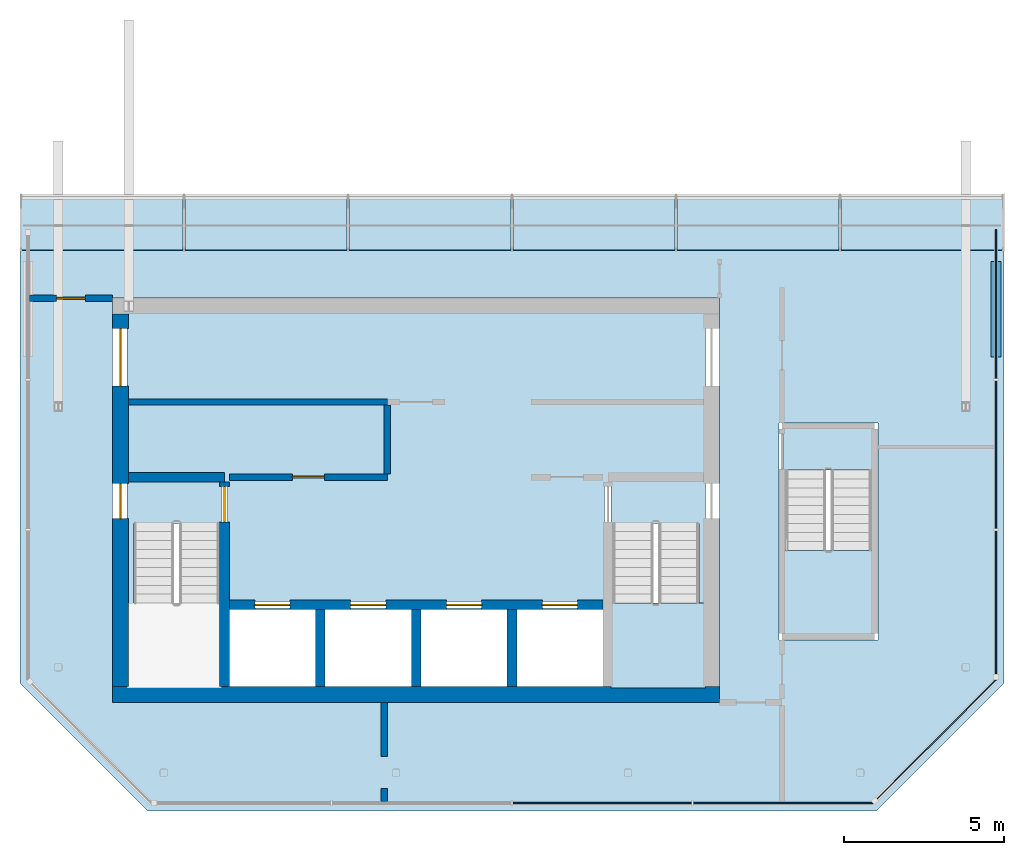
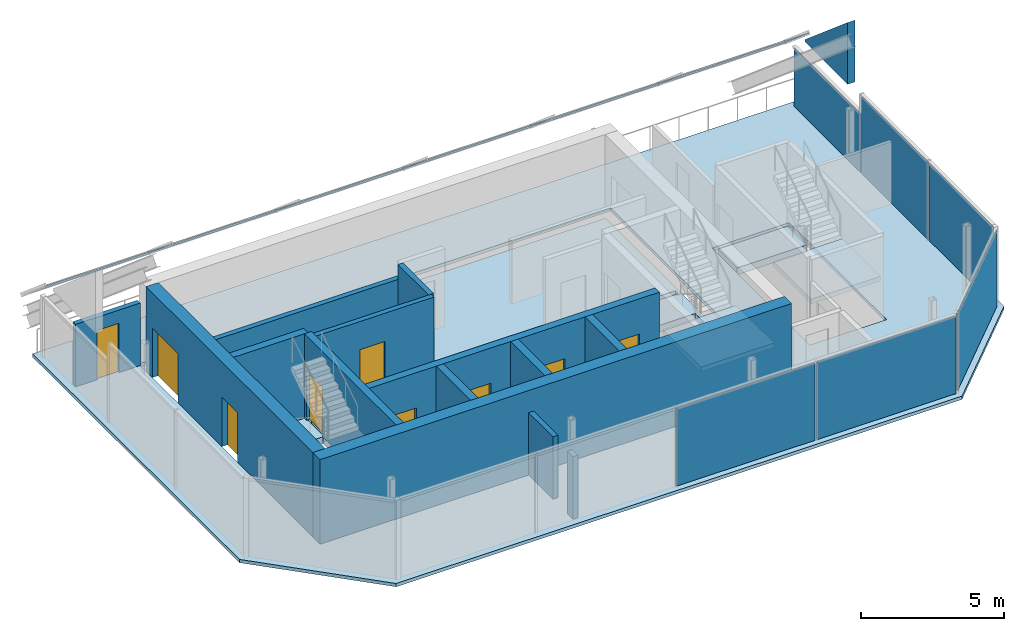
# One storey, part 2 of 4: 14 walls, 13 plates, 9 doors, 5 slabs, 9 openings, 6 elements without a shape of their own.
"""IFC4 building model written with IfcOpenShell, lengths in metres."""

import ifcopenshell
import ifcopenshell.guid

model = None  # the IFC model being written
_history = None  # IfcOwnerHistory: only IFC2X3 demands one
_inside = {}  # id of a spatial element -> (the spatial element, [elements in it])
_under = {}  # id of a project, library or spatial element -> (it, [spatial elements below it])
_declared = {}  # id of a project -> (the project, [libraries it declares])
_typed = {}  # id of a type object -> (the type object, [elements of that type])
_made_of = {}  # id of a material, layer set ... -> (it, [elements and type objects made of it])


def new_model(schema):
    """Start an empty IFC model of exactly this schema.

    Asked for "IFC4X3", IfcOpenShell would pick the latest addendum, in which some entities
    have other attributes; the version numbers below select the first issue.
    IFC2X3 requires an IfcOwnerHistory on every rooted entity: one is made here for all.
    """
    global model, _history
    if schema == "IFC4X3":
        model = ifcopenshell.file(schema_version=(4, 3, 0, 0))
    else:
        model = ifcopenshell.file(schema=schema)
    _inside.clear()
    _under.clear()
    _declared.clear()
    _typed.clear()
    _made_of.clear()
    _history = None
    if model.schema == "IFC2X3":
        org = make("IfcOrganization", Name="unknown")
        user = make(
            "IfcPersonAndOrganization",
            ThePerson=make("IfcPerson", FamilyName="unknown"),
            TheOrganization=org,
        )
        app = make(
            "IfcApplication",
            ApplicationDeveloper=org,
            Version="unknown",
            ApplicationFullName="unknown",
            ApplicationIdentifier="unknown",
        )
        _history = make(
            "IfcOwnerHistory",
            OwningUser=user,
            OwningApplication=app,
            ChangeAction="ADDED",
            CreationDate=0,
        )
    return model


def make(cls, **values):
    """One entity of the class cls with the attributes given. An attribute that is None is left unset."""
    return model.create_entity(
        cls, **{name: value for name, value in values.items() if value is not None}
    )


def rooted(cls, **values):
    """An entity with a GlobalId (a new one), such as an element, a storey or a relation."""
    return make(cls, GlobalId=ifcopenshell.guid.new(), OwnerHistory=_history, **values)


def si_unit(unit_type, name, prefix=None):
    """IfcSIUnit, for example si_unit("LENGTHUNIT", "METRE", prefix="MILLI")."""
    return make("IfcSIUnit", UnitType=unit_type, Prefix=prefix, Name=name)


def assignment(units):
    """IfcUnitAssignment: the units of a project."""
    return None if units is None else make("IfcUnitAssignment", Units=units)


def point(xyz):
    """IfcCartesianPoint."""
    return None if xyz is None else make("IfcCartesianPoint", Coordinates=xyz)


def direction(xyz):
    """IfcDirection."""
    return None if xyz is None else make("IfcDirection", DirectionRatios=xyz)


def frame(location, z_axis=None, x_axis=None):
    """IfcAxis2Placement3D, a coordinate frame: its origin and axes. An axis left out is left unset."""
    return make(
        "IfcAxis2Placement3D",
        Location=point(location),
        Axis=direction(z_axis),
        RefDirection=direction(x_axis),
    )


def frame_2d(location, x_axis=None):
    """IfcAxis2Placement2D, a coordinate frame in the plane: its origin and x axis."""
    return make(
        "IfcAxis2Placement2D", Location=point(location), RefDirection=direction(x_axis)
    )


def origin():
    """The frame at (0, 0, 0) with its axes left unset."""
    return frame((0.0, 0.0, 0.0))


def origin_2d():
    """The frame at (0, 0) in the plane with its x axis left unset."""
    return frame_2d((0.0, 0.0))


def place(relative_to, where):
    """IfcLocalPlacement: puts the frame where relative to a parent placement (None: the world)."""
    return make(
        "IfcLocalPlacement", PlacementRelTo=relative_to, RelativePlacement=where
    )


def context(
    kind, dimensions, precision=None, world=None, true_north=None, identifier=None
):
    """IfcGeometricRepresentationContext, for example the 3D "Model" context."""
    return make(
        "IfcGeometricRepresentationContext",
        ContextIdentifier=identifier,
        ContextType=kind,
        CoordinateSpaceDimension=dimensions,
        Precision=precision,
        WorldCoordinateSystem=world,
        TrueNorth=true_north,
    )


def subcontext(parent, identifier, kind, view, scale=None):
    """IfcGeometricRepresentationSubContext, for example "Body" below "Model"."""
    return make(
        "IfcGeometricRepresentationSubContext",
        ContextIdentifier=identifier,
        ContextType=kind,
        ParentContext=parent,
        TargetScale=scale,
        TargetView=view,
    )


def project(units=None, contexts=None):
    """IfcProject with its units and contexts."""
    return rooted(
        "IfcProject",
        Name="project",
        RepresentationContexts=contexts,
        UnitsInContext=assignment(units),
    )


def spatial(cls, under=None, at=None, **own):
    """A site, building, storey or space (cls), placed at a placement, below another one or the project."""
    s = rooted(cls, ObjectPlacement=at, **own)
    if under is not None:
        _under.setdefault(under.id(), (under, []))[1].append(s)
    return s


def polyline(points):
    """IfcPolyline through the points."""
    return make("IfcPolyline", Points=[point(p) for p in points])


def profile(cls, at=None, kind="AREA", **sizes):
    """A parametric profile (cls). Its sizes go by their IFC names, for example OverallWidth=200.0."""
    return make(cls, ProfileType=kind, Position=at, **sizes)


def rectangle(**sizes):
    """IfcRectangleProfileDef."""
    return profile("IfcRectangleProfileDef", **sizes)


def outline(outer, holes=None, kind="AREA"):
    """IfcArbitraryClosedProfileDef: a profile drawn as a closed curve; with holes, ...WithVoids."""
    if holes is None:
        return make("IfcArbitraryClosedProfileDef", ProfileType=kind, OuterCurve=outer)
    return make(
        "IfcArbitraryProfileDefWithVoids",
        ProfileType=kind,
        OuterCurve=outer,
        InnerCurves=holes,
    )


def extrude(swept, where, along, depth):
    """IfcExtrudedAreaSolid: the profile swept, set in the frame where, extruded along a direction by depth."""
    return make(
        "IfcExtrudedAreaSolid",
        SweptArea=swept,
        Position=where,
        ExtrudedDirection=direction(along),
        Depth=depth,
    )


def shape(context_of_items, identifier, shape_type, items):
    """IfcShapeRepresentation: the items that make up one representation, for example the "Body"."""
    return make(
        "IfcShapeRepresentation",
        ContextOfItems=context_of_items,
        RepresentationIdentifier=identifier,
        RepresentationType=shape_type,
        Items=items,
    )


def material(Name=None, Category=None):
    """IfcMaterial."""
    return make("IfcMaterial", Name=Name, Category=Category)


def layer(
    of_material, thickness, ventilated=None, Name=None, Category=None, Priority=None
):
    """IfcMaterialLayer: one layer of a wall or slab, of a material (None: an air gap)."""
    return make(
        "IfcMaterialLayer",
        Material=of_material,
        LayerThickness=thickness,
        IsVentilated=ventilated,
        Name=Name,
        Category=Category,
        Priority=Priority,
    )


def layer_set(layers, Name=None):
    """IfcMaterialLayerSet."""
    return make("IfcMaterialLayerSet", MaterialLayers=layers, LayerSetName=Name)


def made_of(thing, what):
    """Note that an element or type object is made of a material, layer set ...; save() writes the relation."""
    if what is not None:
        _made_of.setdefault(what.id(), (what, []))[1].append(thing)
    return thing


def type_object(cls, material=None, **own):
    """A type object (cls), such as IfcWallType, which elements share."""
    return made_of(rooted(cls, **own), material)


def element(
    cls,
    number,
    at=None,
    inside=None,
    cuts=None,
    type_object=None,
    material=None,
    context=None,
    identifier="Body",
    shape_type=None,
    held_by="IfcProductDefinitionShape",
    body=None,
    shapes=None,
    **own,
):
    """One element of the class cls, such as IfcWall. Its Tag is "e" and its number.

    at: its placement. inside: the storey or other place that contains it. cuts: it is an
    opening in that element (IfcRelVoidsElement). A single representation is given by context,
    identifier, shape_type and body (its items); several are given by shapes. held_by: the class
    of the entity that holds the representations. save() writes the other relations.
    """
    e = rooted(cls, Tag="e%d" % number, ObjectPlacement=at, **own)
    if body is not None:
        shapes = [shape(context, identifier, shape_type, body)]
    if shapes is not None:
        e.Representation = make(held_by, Representations=shapes)
    if inside is not None:
        _inside.setdefault(inside.id(), (inside, []))[1].append(e)
    if cuts is not None:
        rooted(
            "IfcRelVoidsElement", RelatingBuildingElement=cuts, RelatedOpeningElement=e
        )
    if type_object is not None:
        _typed.setdefault(type_object.id(), (type_object, []))[1].append(e)
    return made_of(e, material)


def fill(opening, filler):
    """IfcRelFillsElement: the door or window that sits in an opening."""
    return rooted(
        "IfcRelFillsElement",
        RelatingOpeningElement=opening,
        RelatedBuildingElement=filler,
    )


def aggregate(whole, parts):
    """IfcRelAggregates: a whole, such as a stair, and the parts it consists of."""
    return rooted("IfcRelAggregates", RelatingObject=whole, RelatedObjects=parts)


def save(model, path):
    """Write the relations noted so far, then the file.

    IfcRelAggregates (storeys below a building ...), IfcRelContainedInSpatialStructure (elements
    in a storey), IfcRelDefinesByType, IfcRelAssociatesMaterial and IfcRelDeclares: one each for
    every whole, place, type object, material and project.
    """
    for whole, parts in _under.values():
        aggregate(whole, parts)
    for where, things in _inside.values():
        rooted(
            "IfcRelContainedInSpatialStructure",
            RelatedElements=things,
            RelatingStructure=where,
        )
    for kind, things in _typed.values():
        rooted("IfcRelDefinesByType", RelatedObjects=things, RelatingType=kind)
    for what, things in _made_of.values():
        rooted("IfcRelAssociatesMaterial", RelatedObjects=things, RelatingMaterial=what)
    for by, libraries in _declared.values():
        rooted("IfcRelDeclares", RelatingContext=by, RelatedDefinitions=libraries)
    model.write(path)


model = new_model("IFC4")

# Units and contexts
model_context = context("Model", 3, precision=1e-05, world=origin(), true_north=direction((0.0, 1.0)))
body_context = subcontext(model_context, "Body", "Model", "MODEL_VIEW")
ifc_project = project(units=[si_unit("LENGTHUNIT", "METRE"), si_unit("AREAUNIT", "SQUARE_METRE"), si_unit("VOLUMEUNIT", "CUBIC_METRE"), si_unit("PLANEANGLEUNIT", "RADIAN"), si_unit("MASSUNIT", "GRAM", prefix="KILO")], contexts=[model_context])

# Site, building, storey
site_placement = place(None, origin())
site = spatial("IfcSite", under=ifc_project, at=site_placement, CompositionType="ELEMENT")
building_placement = place(site_placement, origin())
building = spatial("IfcBuilding", under=site, at=building_placement, Name="Tskaro Facet Tower", CompositionType="ELEMENT")
storey_placement = place(building_placement, frame((0.0, 0.0, 308.10009765625)))
storey = spatial("IfcBuildingStorey", under=building, at=storey_placement, Name="L83", CompositionType="ELEMENT", Elevation=308.10009765625)

# Slab
ifc_material_1 = material(Name="Concrete C30/37", Category="concrete")
ifc_layer_1 = layer(ifc_material_1, 0.139892578125, Name="Concrete C30/37")
ifc_layer_set_1 = layer_set([ifc_layer_1], Name="Concrete C30/37")
slab_type_1 = type_object("IfcSlabType", Name="Composite deck floor slab", PredefinedType="FLOOR", material=ifc_layer_set_1)
slab_1_placement = place(storey_placement, frame((0.0, 0.0, -0.14013671875)))
element("IfcSlab", 1, at=slab_1_placement, inside=storey, type_object=slab_type_1, Name="Floor slab L83", PredefinedType="FLOOR", context=body_context, shape_type="SweptSolid", body=[
    extrude(outline(polyline([(-12.39990234375, 3.047119140625), (18.39990234375, 3.047119140625), (18.39990234375, -11.39990234375), (14.39990234375, -15.39990234375), (-8.39990234375, -15.39990234375), (-12.39990234375, -11.39990234375), (-12.39990234375, 3.047119140625)]), holes=[polyline([(9.5, 0.64990234375), (-9.5, 0.64990234375), (-9.5, -12.0), (9.5, -12.0), (9.5, 0.64990234375)]), polyline([(14.449951171875, -10.050048828125), (14.449951171875, -3.25), (11.35009765625, -3.25), (11.35009765625, -10.050048828125), (14.449951171875, -10.050048828125)])]), origin(), (0.0, 0.0, 1.0), 0.14013671875),
])

# Plate
ifc_material_2 = material(Name="Bronze anodised aluminium cladding 5005-H34", Category="aluminium")
ifc_layer_2 = layer(ifc_material_2, 0.300048828125, Name="Bronze anodised aluminium cladding 5005-H34")
ifc_layer_set_2 = layer_set([ifc_layer_2], Name="Bronze anodised aluminium cladding 5005-H34")
plate_type_1 = type_object("IfcPlateType", Name="Crown cladding panel", PredefinedType="SHEET", material=ifc_layer_set_2)
plate_1_placement = place(storey_placement, frame((18.14990234375, -1.183349609375, 3.39990234375), z_axis=(0.0, 0.0, 1.0), x_axis=(0.0, 1.0, 0.0)))
element("IfcPlate", 2, at=plate_1_placement, inside=storey, type_object=plate_type_1, Name="Crown cladding panel east L83", PredefinedType="SHEET", context=body_context, shape_type="SweptSolid", body=[
    extrude(outline(polyline([(0.0, 0.0), (2.98046875, 0.0), (2.980224609375, 0.10009765625), (0.0, 2.63330078125), (0.0, 0.0)])), frame((0.0, 0.14990234375, 0.0), z_axis=(0.0, -1.0, 0.0), x_axis=(1.0, 0.0, 0.0)), (0.0, 0.0, 1.0), 0.300048828125),
])

# Curtain wall, plates
ifc_material_3 = material(Name="Bronze anodised aluminium 6063-T6", Category="aluminium")
curtain_wall_type_1 = type_object("IfcCurtainWallType", Name="Bronze crown curtain wall (FW5)", PredefinedType="NOTDEFINED", material=ifc_material_3)
curtain_wall_1_placement = place(storey_placement, origin())
curtain_wall_1 = element("IfcCurtainWall", 3, at=curtain_wall_1_placement, inside=storey, type_object=curtain_wall_type_1, Name="FW5 south facet L83", PredefinedType="NOTDEFINED")
ifc_material_4 = material(Name="Bronze reflective glass", Category="glass")
ifc_layer_3 = layer(ifc_material_4, 0.033935546875, Name="Bronze reflective glass")
ifc_layer_set_3 = layer_set([ifc_layer_3], Name="Bronze reflective glass")
plate_type_2 = type_object("IfcPlateType", Name="FW5 bronze-tinted unit glazing 34", PredefinedType="CURTAIN_PANEL", material=ifc_layer_set_3)
plate_2_placement = place(storey_placement, frame((5.823974609375, -15.14990234375, 0.0), z_axis=(0.0, 0.0, 1.0), x_axis=(1.0, 0.0, 0.0)))
plate_2 = element("IfcPlate", 4, at=plate_2_placement, type_object=plate_type_2, Name="FW5 south glazing 3.1", PredefinedType="CURTAIN_PANEL", context=body_context, shape_type="SweptSolid", body=[
    extrude(rectangle(XDim=5.577880859375, YDim=0.033935546875, at=origin_2d()), origin(), (0.0, 0.0, 1.0), 3.2900390625),
])
plate_3_placement = place(storey_placement, frame((11.489501953125, -15.14990234375, 0.0), z_axis=(0.0, 0.0, 1.0), x_axis=(1.0, 0.0, 0.0)))
plate_3 = element("IfcPlate", 5, at=plate_3_placement, type_object=plate_type_2, Name="FW5 south glazing 4.1", PredefinedType="CURTAIN_PANEL", context=body_context, shape_type="SweptSolid", body=[
    extrude(rectangle(XDim=5.613037109375, YDim=0.033935546875, at=origin_2d()), origin(), (0.0, 0.0, 1.0), 3.2900390625),
])
aggregate(curtain_wall_1, [plate_2, plate_3])

# Curtain wall, plate
curtain_wall_2_placement = place(storey_placement, origin())
curtain_wall_2 = element("IfcCurtainWall", 6, at=curtain_wall_2_placement, inside=storey, type_object=curtain_wall_type_1, Name="FW5 south-east facet L83", PredefinedType="NOTDEFINED")
plate_4_placement = place(storey_placement, frame((16.28662109375, -13.159423828125, 0.0), z_axis=(0.0, 0.0, 1.0), x_axis=(0.707106781187, 0.707106781187, 0.0)))
plate_4 = element("IfcPlate", 7, at=plate_4_placement, type_object=plate_type_2, Name="FW5 south-east glazing 1.1", PredefinedType="CURTAIN_PANEL", context=body_context, shape_type="SweptSolid", body=[
    extrude(rectangle(XDim=5.270263671875, YDim=0.033935546875, at=origin_2d()), origin(), (0.0, 0.0, 1.0), 3.2900390625),
])
aggregate(curtain_wall_2, [plate_4])

# Curtain wall, plates
curtain_wall_3_placement = place(storey_placement, origin())
curtain_wall_3 = element("IfcCurtainWall", 8, at=curtain_wall_3_placement, inside=storey, type_object=curtain_wall_type_1, Name="FW5 east facet L83", PredefinedType="NOTDEFINED")
plate_5_placement = place(storey_placement, frame((18.14990234375, -8.874755859375, 0.0), z_axis=(0.0, 0.0, 1.0), x_axis=(0.0, 1.0, 0.0)))
plate_5 = element("IfcPlate", 9, at=plate_5_placement, type_object=plate_type_2, Name="FW5 east glazing 1.1", PredefinedType="CURTAIN_PANEL", context=body_context, shape_type="SweptSolid", body=[
    extrude(rectangle(XDim=4.482666015625, YDim=0.033935546875, at=origin_2d()), origin(), (0.0, 0.0, 1.0), 3.2900390625),
])
plate_6_placement = place(storey_placement, frame((18.14990234375, -4.24951171875, 0.0), z_axis=(0.0, 0.0, 1.0), x_axis=(0.0, 1.0, 0.0)))
plate_6 = element("IfcPlate", 10, at=plate_6_placement, type_object=plate_type_2, Name="FW5 east glazing 2.1", PredefinedType="CURTAIN_PANEL", context=body_context, shape_type="SweptSolid", body=[
    extrude(rectangle(XDim=4.627685546875, YDim=0.033935546875, at=origin_2d()), origin(), (0.0, 0.0, 1.0), 3.2900390625),
])
plate_7_placement = place(storey_placement, frame((18.14990234375, 0.465576171875, 0.0), z_axis=(0.0, 0.0, 1.0), x_axis=(0.0, 1.0, 0.0)))
plate_7 = element("IfcPlate", 11, at=plate_7_placement, type_object=plate_type_2, Name="FW5 east glazing 3.1", PredefinedType="CURTAIN_PANEL", context=body_context, shape_type="SweptSolid", body=[
    extrude(rectangle(XDim=4.66259765625, YDim=0.033935546875, at=origin_2d()), origin(), (0.0, 0.0, 1.0), 2.489990234375),
])
aggregate(curtain_wall_3, [plate_5, plate_6, plate_7])

curtain_wall_type_2 = type_object("IfcCurtainWallType", Name="Bronze crown roof glazing (FW6)", PredefinedType="NOTDEFINED", material=ifc_material_3)
curtain_wall_4_placement = place(storey_placement, origin())
curtain_wall_4 = element("IfcCurtainWall", 12, at=curtain_wall_4_placement, inside=storey, type_object=curtain_wall_type_2, Name="FW6 roof glazing strip 5", PredefinedType="NOTDEFINED")
ifc_layer_4 = layer(ifc_material_4, 0.0400390625, Name="Bronze reflective glass")
ifc_layer_set_4 = layer_set([ifc_layer_4], Name="Bronze reflective glass")
plate_type_3 = type_object("IfcPlateType", Name="FW6 bronze-tinted unit glazing 40", PredefinedType="CURTAIN_PANEL", material=ifc_layer_set_4)
plate_8_placement = place(storey_placement, frame((-12.3701171875, 2.166748046875, 3.4482421875), z_axis=(0.0, 0.647661848605, 0.761927903323), x_axis=(1.0, 0.0, 0.0)))
plate_8 = element("IfcPlate", 13, at=plate_8_placement, type_object=plate_type_3, Name="FW6 roof glazing 5.1", PredefinedType="CURTAIN_PANEL", context=body_context, shape_type="SweptSolid", body=[
    extrude(outline(polyline([(0.0, 0.0), (5.073486328125, 0.0), (5.073486328125, 2.110958832831349), (0.0, 2.110958832831349), (0.0, 0.0)])), origin(), (0.0, 0.0, -1.0), 0.0400390625),
])
plate_9_placement = place(storey_placement, frame((-7.236572265625, 2.166748046875, 3.4482421875), z_axis=(0.0, 0.647661848605, 0.761927903323), x_axis=(1.0, 0.0, 0.0)))
plate_9 = element("IfcPlate", 14, at=plate_9_placement, type_object=plate_type_3, Name="FW6 roof glazing 5.2", PredefinedType="CURTAIN_PANEL", context=body_context, shape_type="SweptSolid", body=[
    extrude(outline(polyline([(0.0, 0.0), (5.0732421875, 0.0), (5.0732421875, 2.110958832831349), (0.0, 2.110958832831349), (0.0, 0.0)])), origin(), (0.0, 0.0, -1.0), 0.0400390625),
])
plate_10_placement = place(storey_placement, frame((-2.103271484375, 2.166748046875, 3.4482421875), z_axis=(0.0, 0.647661848605, 0.761927903323), x_axis=(1.0, 0.0, 0.0)))
plate_10 = element("IfcPlate", 15, at=plate_10_placement, type_object=plate_type_3, Name="FW6 roof glazing 5.3", PredefinedType="CURTAIN_PANEL", context=body_context, shape_type="SweptSolid", body=[
    extrude(outline(polyline([(0.0, 0.0), (5.0732421875, 0.0), (5.0732421875, 2.110958832831349), (0.0, 2.110958832831349), (0.0, 0.0)])), origin(), (0.0, 0.0, -1.0), 0.0400390625),
])
plate_11_placement = place(storey_placement, frame((3.030029296875, 2.166748046875, 3.4482421875), z_axis=(0.0, 0.647661848605, 0.761927903323), x_axis=(1.0, 0.0, 0.0)))
plate_11 = element("IfcPlate", 16, at=plate_11_placement, type_object=plate_type_3, Name="FW6 roof glazing 5.4", PredefinedType="CURTAIN_PANEL", context=body_context, shape_type="SweptSolid", body=[
    extrude(outline(polyline([(0.0, 0.0), (5.0732421875, 0.0), (5.0732421875, 2.110958832831349), (0.0, 2.110958832831349), (0.0, 0.0)])), origin(), (0.0, 0.0, -1.0), 0.0400390625),
])
plate_12_placement = place(storey_placement, frame((8.163330078125, 2.166748046875, 3.4482421875), z_axis=(0.0, 0.647661848605, 0.761927903323), x_axis=(1.0, 0.0, 0.0)))
plate_12 = element("IfcPlate", 17, at=plate_12_placement, type_object=plate_type_3, Name="FW6 roof glazing 5.5", PredefinedType="CURTAIN_PANEL", context=body_context, shape_type="SweptSolid", body=[
    extrude(outline(polyline([(0.0, 0.0), (5.0732421875, 0.0), (5.0732421875, 2.110958832831349), (0.0, 2.110958832831349), (0.0, 0.0)])), origin(), (0.0, 0.0, -1.0), 0.0400390625),
])
plate_13_placement = place(storey_placement, frame((13.296630859375, 2.166748046875, 3.4482421875), z_axis=(0.0, 0.647661848605, 0.761927903323), x_axis=(1.0, 0.0, 0.0)))
plate_13 = element("IfcPlate", 18, at=plate_13_placement, type_object=plate_type_3, Name="FW6 roof glazing 5.6", PredefinedType="CURTAIN_PANEL", context=body_context, shape_type="SweptSolid", body=[
    extrude(outline(polyline([(0.0, 0.0), (5.073486328125, 0.0), (5.073486328125, 2.110958832831349), (0.0, 2.110958832831349), (0.0, 0.0)])), origin(), (0.0, 0.0, -1.0), 0.0400390625),
])
aggregate(curtain_wall_4, [plate_8, plate_9, plate_10, plate_11, plate_12, plate_13])

# Stair, slab
ifc_material_5 = material(Name="Concrete C40/50", Category="concrete")
stair_type = type_object("IfcStairType", Name="ST-TWR", PredefinedType="HALF_TURN_STAIR", material=ifc_material_5)
stair_1_placement = place(storey_placement, origin())
stair_1 = element("IfcStair", 19, at=stair_1_placement, inside=storey, type_object=stair_type, Name="L83 Exit stair 2", PredefinedType="HALF_TURN_STAIR")
ifc_layer_5 = layer(ifc_material_5, 0.199951171875, Name="Concrete C40/50")
ifc_layer_set_5 = layer_set([ifc_layer_5], Name="Concrete C40/50")
slab_type_2 = type_object("IfcSlabType", Name="SL-LANDING", PredefinedType="LANDING", material=ifc_layer_set_5)
slab_2_placement = place(storey_placement, frame((0.0, 0.0, 1.599853515625)))
slab_2 = element("IfcSlab", 20, at=slab_2_placement, type_object=slab_type_2, Name="ST-2 landing 1", PredefinedType="LANDING", context=body_context, shape_type="SweptSolid", body=[
    extrude(outline(polyline([(6.10009765625, -11.550048828125), (9.050048828125, -11.550048828125), (9.050048828125, -8.89501953125), (6.10009765625, -8.89501953125), (6.10009765625, -11.550048828125)])), origin(), (0.0, 0.0, 1.0), 0.199951171875),
])
aggregate(stair_1, [slab_2])

stair_2_placement = place(storey_placement, origin())
stair_2 = element("IfcStair", 21, at=stair_2_placement, inside=storey, type_object=stair_type, Name="L83 Exit stair 4", PredefinedType="HALF_TURN_STAIR")
slab_3_placement = place(storey_placement, frame((0.0, 0.0, 1.599853515625)))
slab_3 = element("IfcSlab", 22, at=slab_3_placement, type_object=slab_type_2, Name="ST-4 landing 1", PredefinedType="LANDING", context=body_context, shape_type="SweptSolid", body=[
    extrude(outline(polyline([(11.5, -9.89990234375), (14.300048828125, -9.89990234375), (14.300048828125, -7.2451171875), (11.5, -7.2451171875), (11.5, -9.89990234375)])), origin(), (0.0, 0.0, 1.0), 0.199951171875),
])
aggregate(stair_2, [slab_3])

# Slabs
ifc_material_6 = material(Name="Concrete C60/75", Category="concrete")
ifc_layer_6 = layer(ifc_material_6, 0.300048828125, Name="Concrete C60/75")
ifc_layer_set_6 = layer_set([ifc_layer_6], Name="Concrete C60/75")
slab_type_3 = type_object("IfcSlabType", Name="SLAB-CORE", PredefinedType="FLOOR", material=ifc_layer_set_6)
slab_4_placement = place(storey_placement, frame((0.0, 0.0, -0.300048828125)))
element("IfcSlab", 23, at=slab_4_placement, inside=storey, type_object=slab_type_3, Name="Core floor slab 1", PredefinedType="FLOOR", context=body_context, shape_type="SweptSolid", body=[
    extrude(outline(polyline([(-9.050048828125, 0.199951171875), (9.050048828125, 0.199951171875), (9.050048828125, 0.10009765625), (9.050048828125, -11.449951171875), (9.050048828125, -11.550048828125), (-9.050048828125, -11.550048828125), (-9.050048828125, -11.449951171875), (-9.050048828125, 0.10009765625), (-9.050048828125, 0.199951171875)]), holes=[polyline([(-5.85009765625, -11.5), (-3.14990234375, -11.5), (-3.14990234375, -9.10009765625), (-5.85009765625, -9.10009765625), (-5.85009765625, -11.5)]), polyline([(-2.89990234375, -11.449951171875), (-2.89990234375, -9.14990234375), (-3.10009765625, -9.14990234375), (-3.10009765625, -11.449951171875), (-2.89990234375, -11.449951171875)]), polyline([(-2.85009765625, -9.10009765625), (-2.85009765625, -11.5), (-0.14990234375, -11.5), (-0.14990234375, -9.10009765625), (-2.85009765625, -9.10009765625)]), polyline([(-0.10009765625, -11.449951171875), (0.10009765625, -11.449951171875), (0.10009765625, -9.14990234375), (-0.10009765625, -9.14990234375), (-0.10009765625, -11.449951171875)]), polyline([(5.800048828125, -9.050048828125), (5.800048828125, -8.85009765625), (-5.800048828125, -8.85009765625), (-5.800048828125, -9.050048828125), (5.800048828125, -9.050048828125)]), polyline([(-5.89990234375, -11.449951171875), (-5.89990234375, -5.14990234375), (-6.10009765625, -5.14990234375), (-6.10009765625, -11.449951171875), (-5.89990234375, -11.449951171875)]), polyline([(-8.949951171875, -5.050048828125), (-6.050048828125, -5.050048828125), (-6.050048828125, -4.85009765625), (-8.949951171875, -4.85009765625), (-8.949951171875, -5.050048828125)]), polyline([(0.14990234375, -11.5), (2.85009765625, -11.5), (2.85009765625, -9.10009765625), (0.14990234375, -9.10009765625), (0.14990234375, -11.5)]), polyline([(3.10009765625, -11.449951171875), (3.10009765625, -9.14990234375), (2.89990234375, -9.14990234375), (2.89990234375, -11.449951171875), (3.10009765625, -11.449951171875)]), polyline([(3.14990234375, -11.5), (5.85009765625, -11.5), (5.85009765625, -9.10009765625), (3.14990234375, -9.10009765625), (3.14990234375, -11.5)]), polyline([(5.89990234375, -11.449951171875), (6.10009765625, -11.449951171875), (6.10009765625, -5.14990234375), (5.89990234375, -5.14990234375), (5.89990234375, -11.449951171875)]), polyline([(6.050048828125, -5.050048828125), (8.949951171875, -5.050048828125), (8.949951171875, -4.85009765625), (6.050048828125, -4.85009765625), (6.050048828125, -5.050048828125)]), polyline([(-8.85009765625, -11.5), (-6.14990234375, -11.5), (-6.14990234375, -6.39501953125), (-8.85009765625, -6.39501953125), (-8.85009765625, -11.5)]), polyline([(6.14990234375, -6.39501953125), (6.14990234375, -11.5), (8.85009765625, -11.5), (8.85009765625, -6.39501953125), (6.14990234375, -6.39501953125)])]), origin(), (0.0, 0.0, 1.0), 0.300048828125),
])
slab_5_placement = place(storey_placement, frame((0.0, 0.0, -0.300048828125)))
element("IfcSlab", 24, at=slab_5_placement, inside=storey, type_object=slab_type_3, Name="Stair 4 floor landing 1", PredefinedType="FLOOR", context=body_context, shape_type="SweptSolid", body=[
    extrude(outline(polyline([(11.5, -4.72509765625), (14.300048828125, -4.72509765625), (14.300048828125, -3.39990234375), (11.5, -3.39990234375), (11.5, -4.72509765625)])), origin(), (0.0, 0.0, 1.0), 0.300048828125),
])

# Wall, openings, doors
ifc_layer_7 = layer(ifc_material_6, 0.300048828125, Name="Concrete C60/75")
ifc_layer_set_7 = layer_set([ifc_layer_7], Name="Concrete C60/75")
wall_type_1 = type_object("IfcWallType", Name="CORE-SHAFT", PredefinedType="SHEAR", material=ifc_layer_set_7)
wall_1_placement = place(storey_placement, frame((-5.85009765625, -8.949951171875, 0.0), z_axis=(0.0, 0.0, 1.0), x_axis=(1.0, 0.0, 0.0)))
wall_1 = element("IfcWall", 25, at=wall_1_placement, inside=storey, type_object=wall_type_1, Name="Shaft wall W003", PredefinedType="SHEAR", context=body_context, shape_type="SweptSolid", body=[
    extrude(rectangle(XDim=11.7001953125, YDim=0.300048828125, at=frame_2d((5.85009765625, 0.0))), origin(), (0.0, 0.0, 1.0), 3.599853515625),
])
opening_1_placement = place(wall_1_placement, frame((0.800048828125, 0.0, 0.0)))
opening_1 = element("IfcOpeningElement", 26, at=opening_1_placement, cuts=wall_1, Name="Opening LD-FF1", PredefinedType="OPENING", context=body_context, shape_type="SweptSolid", body=[
    extrude(rectangle(XDim=1.10009765625, YDim=2.10009765625, at=frame_2d((0.550048828125, 1.050048828125))), frame((0.0, 0.159912109375, 0.0), z_axis=(0.0, -1.0, 0.0), x_axis=(1.0, 0.0, 0.0)), (0.0, 0.0, 1.0), 0.320068359375),
])
opening_2_placement = place(wall_1_placement, frame((3.800048828125, 0.0, 0.0)))
opening_2 = element("IfcOpeningElement", 27, at=opening_2_placement, cuts=wall_1, Name="Opening LD-FF2", PredefinedType="OPENING", context=body_context, shape_type="SweptSolid", body=[
    extrude(rectangle(XDim=1.10009765625, YDim=2.10009765625, at=frame_2d((0.550048828125, 1.050048828125))), frame((0.0, 0.159912109375, 0.0), z_axis=(0.0, -1.0, 0.0), x_axis=(1.0, 0.0, 0.0)), (0.0, 0.0, 1.0), 0.320068359375),
])
opening_3_placement = place(wall_1_placement, frame((6.800048828125, 0.0, 0.0)))
opening_3 = element("IfcOpeningElement", 28, at=opening_3_placement, cuts=wall_1, Name="Opening LD-SV1", PredefinedType="OPENING", context=body_context, shape_type="SweptSolid", body=[
    extrude(rectangle(XDim=1.10009765625, YDim=2.10009765625, at=frame_2d((0.550048828125, 1.050048828125))), frame((0.0, 0.159912109375, 0.0), z_axis=(0.0, -1.0, 0.0), x_axis=(1.0, 0.0, 0.0)), (0.0, 0.0, 1.0), 0.320068359375),
])
opening_4_placement = place(wall_1_placement, frame((9.800048828125, 0.0, 0.0)))
opening_4 = element("IfcOpeningElement", 29, at=opening_4_placement, cuts=wall_1, Name="Opening LD-SV2", PredefinedType="OPENING", context=body_context, shape_type="SweptSolid", body=[
    extrude(rectangle(XDim=1.10009765625, YDim=2.10009765625, at=frame_2d((0.550048828125, 1.050048828125))), frame((0.0, 0.159912109375, 0.0), z_axis=(0.0, -1.0, 0.0), x_axis=(1.0, 0.0, 0.0)), (0.0, 0.0, 1.0), 0.320068359375),
])
ifc_material_7 = material(Name="Stainless steel", Category="steel")
door_type_1 = type_object("IfcDoorType", Name="D-LANDING", OperationType="NOTDEFINED", PredefinedType="DOOR", material=ifc_material_7)
door_1_placement = place(opening_1_placement, origin())
door_1 = element("IfcDoor", 30, at=door_1_placement, inside=storey, type_object=door_type_1, Name="Landing door FF1", OperationType="DOUBLE_DOOR_SLIDING", OverallHeight=2.10009765625, OverallWidth=1.10009765625, PredefinedType="DOOR", context=body_context, shape_type="SweptSolid", body=[
    extrude(rectangle(XDim=1.10009765625, YDim=2.10009765625, at=frame_2d((0.550048828125, 1.050048828125))), frame((0.0, 0.02490234375, 0.0), z_axis=(0.0, -1.0, 0.0), x_axis=(1.0, 0.0, 0.0)), (0.0, 0.0, 1.0), 0.050048828125),
])
fill(opening_1, door_1)
door_2_placement = place(opening_2_placement, origin())
door_2 = element("IfcDoor", 31, at=door_2_placement, inside=storey, type_object=door_type_1, Name="Landing door FF2", OperationType="DOUBLE_DOOR_SLIDING", OverallHeight=2.10009765625, OverallWidth=1.10009765625, PredefinedType="DOOR", context=body_context, shape_type="SweptSolid", body=[
    extrude(rectangle(XDim=1.10009765625, YDim=2.10009765625, at=frame_2d((0.550048828125, 1.050048828125))), frame((0.0, 0.02490234375, 0.0), z_axis=(0.0, -1.0, 0.0), x_axis=(1.0, 0.0, 0.0)), (0.0, 0.0, 1.0), 0.050048828125),
])
fill(opening_2, door_2)
door_3_placement = place(opening_3_placement, origin())
door_3 = element("IfcDoor", 32, at=door_3_placement, inside=storey, type_object=door_type_1, Name="Landing door SV1", OperationType="DOUBLE_DOOR_SLIDING", OverallHeight=2.10009765625, OverallWidth=1.10009765625, PredefinedType="DOOR", context=body_context, shape_type="SweptSolid", body=[
    extrude(rectangle(XDim=1.10009765625, YDim=2.10009765625, at=frame_2d((0.550048828125, 1.050048828125))), frame((0.0, 0.02490234375, 0.0), z_axis=(0.0, -1.0, 0.0), x_axis=(1.0, 0.0, 0.0)), (0.0, 0.0, 1.0), 0.050048828125),
])
fill(opening_3, door_3)
door_4_placement = place(opening_4_placement, origin())
door_4 = element("IfcDoor", 33, at=door_4_placement, inside=storey, type_object=door_type_1, Name="Landing door SV2", OperationType="DOUBLE_DOOR_SLIDING", OverallHeight=2.10009765625, OverallWidth=1.10009765625, PredefinedType="DOOR", context=body_context, shape_type="SweptSolid", body=[
    extrude(rectangle(XDim=1.10009765625, YDim=2.10009765625, at=frame_2d((0.550048828125, 1.050048828125))), frame((0.0, 0.02490234375, 0.0), z_axis=(0.0, -1.0, 0.0), x_axis=(1.0, 0.0, 0.0)), (0.0, 0.0, 1.0), 0.050048828125),
])
fill(opening_4, door_4)

# Wall
wall_2_placement = place(storey_placement, frame((-9.0, -4.949951171875, 0.0), z_axis=(0.0, 0.0, 1.0), x_axis=(1.0, 0.0, 0.0)))
element("IfcWall", 34, at=wall_2_placement, inside=storey, type_object=wall_type_1, Name="Shaft wall W004", PredefinedType="SHEAR", context=body_context, shape_type="SweptSolid", body=[
    extrude(rectangle(XDim=3.0, YDim=0.300048828125, at=frame_2d((1.5, 0.0))), origin(), (0.0, 0.0, 1.0), 3.599853515625),
])

# Wall, opening, door
wall_3_placement = place(storey_placement, frame((-6.0, -11.5, 0.0), z_axis=(0.0, 0.0, 1.0), x_axis=(0.0, 1.0, 0.0)))
wall_3 = element("IfcWall", 35, at=wall_3_placement, inside=storey, type_object=wall_type_1, Name="Shaft wall W014", PredefinedType="SHEAR", context=body_context, shape_type="SweptSolid", body=[
    extrude(rectangle(XDim=6.39990234375, YDim=0.300048828125, at=frame_2d((3.199951171875, 0.0))), origin(), (0.0, 0.0, 1.0), 3.599853515625),
])
opening_5_placement = place(wall_3_placement, frame((5.14990234375, 0.0, 0.0)))
opening_5 = element("IfcOpeningElement", 36, at=opening_5_placement, cuts=wall_3, Name="Opening ST-1-D1", PredefinedType="OPENING", context=body_context, shape_type="SweptSolid", body=[
    extrude(rectangle(XDim=1.10009765625, YDim=2.10009765625, at=frame_2d((0.550048828125, 1.050048828125))), frame((0.0, 0.159912109375, 0.0), z_axis=(0.0, -1.0, 0.0), x_axis=(1.0, 0.0, 0.0)), (0.0, 0.0, 1.0), 0.320068359375),
])
ifc_material_8 = material(Name="Steel", Category="steel")
door_type_2 = type_object("IfcDoorType", Name="D-STAIR", OperationType="NOTDEFINED", PredefinedType="DOOR", material=ifc_material_8)
door_5_placement = place(opening_5_placement, origin())
door_5 = element("IfcDoor", 37, at=door_5_placement, inside=storey, type_object=door_type_2, Name="Stair door 1", OperationType="SINGLE_SWING_LEFT", OverallHeight=2.10009765625, OverallWidth=1.10009765625, PredefinedType="DOOR", context=body_context, shape_type="SweptSolid", body=[
    extrude(rectangle(XDim=1.10009765625, YDim=2.10009765625, at=frame_2d((0.550048828125, 1.050048828125))), frame((0.0, 0.02490234375, 0.0), z_axis=(0.0, -1.0, 0.0), x_axis=(1.0, 0.0, 0.0)), (0.0, 0.0, 1.0), 0.050048828125),
])
fill(opening_5, door_5)

# Walls
for number, where, z_axis, x_axis, name in (
    (38, (-3.0, -11.5, 0.0), (0.0, 0.0, 1.0), (0.0, 1.0, 0.0), "Shaft wall W015"),
    (39, (0.0, -11.5, 0.0), (0.0, 0.0, 1.0), (0.0, 1.0, 0.0), "Shaft wall W019"),
    (40, (3.0, -11.5, 0.0), (0.0, 0.0, 1.0), (0.0, 1.0, 0.0), "Shaft wall W020"),
):
    element("IfcWall", number, at=place(storey_placement, frame(where, z_axis=z_axis, x_axis=x_axis)), inside=storey, type_object=wall_type_1, Name=name, PredefinedType="SHEAR", context=body_context, shape_type="SweptSolid", body=[
        extrude(rectangle(XDim=2.39990234375, YDim=0.300048828125, at=frame_2d((1.199951171875, 0.0))), origin(), (0.0, 0.0, 1.0), 3.599853515625),
    ])

# Wall, opening, door
ifc_material_9 = material(Name="Concrete C20/25", Category="concrete")
ifc_layer_8 = layer(ifc_material_9, 0.199951171875, Name="Concrete C20/25")
ifc_layer_set_8 = layer_set([ifc_layer_8], Name="Concrete C20/25")
wall_type_2 = type_object("IfcWallType", Name="CORE-WALL", PredefinedType="SOLIDWALL", material=ifc_layer_set_8)
wall_4_placement = place(storey_placement, frame((-5.85009765625, -4.949951171875, 0.0), z_axis=(0.0, 0.0, 1.0), x_axis=(1.0, 0.0, 0.0)))
wall_4 = element("IfcWall", 41, at=wall_4_placement, inside=storey, type_object=wall_type_2, Name="Core room wall W005", PredefinedType="SOLIDWALL", context=body_context, shape_type="SweptSolid", body=[
    extrude(rectangle(XDim=4.9501953125, YDim=0.199951171875, at=frame_2d((2.47509765625, 0.0))), origin(), (0.0, 0.0, 1.0), 3.2998046875),
])
opening_6_placement = place(wall_4_placement, frame((1.97509765625, 0.0, 0.0)))
opening_6 = element("IfcOpeningElement", 42, at=opening_6_placement, cuts=wall_4, Name="Opening C83-D03", PredefinedType="OPENING", context=body_context, shape_type="SweptSolid", body=[
    extrude(rectangle(XDim=1.0, YDim=2.10009765625, at=frame_2d((0.5, 1.050048828125))), frame((0.0, 0.10986328125, 0.0), z_axis=(0.0, -1.0, 0.0), x_axis=(1.0, 0.0, 0.0)), (0.0, 0.0, 1.0), 0.219970703125),
])
ifc_material_10 = material(Name="Timber", Category="wood")
door_type_3 = type_object("IfcDoorType", Name="D-ROOM-WIDE", OperationType="NOTDEFINED", PredefinedType="DOOR", material=ifc_material_10)
door_6_placement = place(opening_6_placement, origin())
door_6 = element("IfcDoor", 43, at=door_6_placement, inside=storey, type_object=door_type_3, Name="Door C83-D03", OperationType="SINGLE_SWING_LEFT", OverallHeight=2.10009765625, OverallWidth=1.0, PredefinedType="DOOR", context=body_context, shape_type="SweptSolid", body=[
    extrude(rectangle(XDim=1.0, YDim=2.10009765625, at=frame_2d((0.5, 1.050048828125))), frame((0.0, 0.02490234375, 0.0), z_axis=(0.0, -1.0, 0.0), x_axis=(1.0, 0.0, 0.0)), (0.0, 0.0, 1.0), 0.050048828125),
])
fill(opening_6, door_6)

# Walls
wall_5_placement = place(storey_placement, frame((-0.89990234375, -4.85009765625, 0.0), z_axis=(0.0, 0.0, 1.0), x_axis=(0.0, 1.0, 0.0)))
element("IfcWall", 44, at=wall_5_placement, inside=storey, type_object=wall_type_2, Name="Core room wall W018", PredefinedType="SOLIDWALL", context=body_context, shape_type="SweptSolid", body=[
    extrude(rectangle(XDim=2.150146484375, YDim=0.199951171875, at=frame_2d((1.0751953125, 0.0))), origin(), (0.0, 0.0, 1.0), 3.2998046875),
])
ifc_layer_9 = layer(ifc_material_5, 0.5, Name="Concrete C40/50")
ifc_layer_set_9 = layer_set([ifc_layer_9], Name="Concrete C40/50")
wall_type_3 = type_object("IfcWallType", Name="Core wall 500", PredefinedType="SHEAR", material=ifc_layer_set_9)
wall_6_placement = place(storey_placement, frame((-9.5, -11.75, 0.0), z_axis=(0.0, 0.0, 1.0), x_axis=(1.0, 0.0, 0.0)))
element("IfcWall", 45, at=wall_6_placement, inside=storey, type_object=wall_type_3, Name="Core wall CW-Z3S", PredefinedType="SHEAR", context=body_context, shape_type="SweptSolid", body=[
    extrude(outline(polyline([(0.0, 0.0), (19.0, 0.0), (19.0, 3.599853515625), (0.0, 3.599853515625), (0.0, 0.0)])), frame((0.0, 0.25, 0.0), z_axis=(0.0, -1.0, 0.0), x_axis=(1.0, 0.0, 0.0)), (0.0, 0.0, 1.0), 0.5),
])

# Wall, openings, doors
wall_7_placement = place(storey_placement, frame((-9.25, -11.5, 0.0), z_axis=(0.0, 0.0, 1.0), x_axis=(0.0, 1.0, 0.0)))
wall_7 = element("IfcWall", 46, at=wall_7_placement, inside=storey, type_object=wall_type_3, Name="Core wall CW-Z3W", PredefinedType="SHEAR", context=body_context, shape_type="SweptSolid", body=[
    extrude(outline(polyline([(0.0, 0.0), (11.64990234375, 0.0), (11.64990234375, 3.599853515625), (0.0, 3.599853515625), (0.0, 0.0)])), frame((0.0, 0.25, 0.0), z_axis=(0.0, -1.0, 0.0), x_axis=(1.0, 0.0, 0.0)), (0.0, 0.0, 1.0), 0.5),
])
opening_7_placement = place(wall_7_placement, frame((9.39990234375, 0.0, 0.0)))
opening_7 = element("IfcOpeningElement", 47, at=opening_7_placement, cuts=wall_7, Name="Opening C83-D06", PredefinedType="OPENING", context=body_context, shape_type="SweptSolid", body=[
    extrude(rectangle(XDim=1.800048828125, YDim=2.10009765625, at=frame_2d((0.89990234375, 1.050048828125))), frame((0.0, 0.260009765625, 0.0), z_axis=(0.0, -1.0, 0.0), x_axis=(1.0, 0.0, 0.0)), (0.0, 0.0, 1.0), 0.52001953125),
])
opening_8_placement = place(wall_7_placement, frame((5.25, 0.0, 0.0)))
opening_8 = element("IfcOpeningElement", 48, at=opening_8_placement, cuts=wall_7, Name="Opening ST-1-D3", PredefinedType="OPENING", context=body_context, shape_type="SweptSolid", body=[
    extrude(rectangle(XDim=1.10009765625, YDim=2.10009765625, at=frame_2d((0.550048828125, 1.050048828125))), frame((0.0, 0.260009765625, 0.0), z_axis=(0.0, -1.0, 0.0), x_axis=(1.0, 0.0, 0.0)), (0.0, 0.0, 1.0), 0.52001953125),
])
door_type_4 = type_object("IfcDoorType", Name="D-CORE-PAIR", OperationType="NOTDEFINED", PredefinedType="DOOR", material=ifc_material_8)
door_7_placement = place(opening_7_placement, origin())
door_7 = element("IfcDoor", 49, at=door_7_placement, inside=storey, type_object=door_type_4, Name="Door C83-D06", OperationType="DOUBLE_DOOR_SINGLE_SWING", OverallHeight=2.10009765625, OverallWidth=1.800048828125, PredefinedType="DOOR", context=body_context, shape_type="SweptSolid", body=[
    extrude(rectangle(XDim=1.800048828125, YDim=2.10009765625, at=frame_2d((0.89990234375, 1.050048828125))), frame((0.0, 0.02490234375, 0.0), z_axis=(0.0, -1.0, 0.0), x_axis=(1.0, 0.0, 0.0)), (0.0, 0.0, 1.0), 0.050048828125),
])
fill(opening_7, door_7)
door_8_placement = place(opening_8_placement, origin())
door_8 = element("IfcDoor", 50, at=door_8_placement, inside=storey, type_object=door_type_2, Name="Stair door 1 west", OperationType="SINGLE_SWING_LEFT", OverallHeight=2.10009765625, OverallWidth=1.10009765625, PredefinedType="DOOR", context=body_context, shape_type="SweptSolid", body=[
    extrude(rectangle(XDim=1.10009765625, YDim=2.10009765625, at=frame_2d((0.550048828125, 1.050048828125))), frame((0.0, 0.02490234375, 0.0), z_axis=(0.0, -1.0, 0.0), x_axis=(1.0, 0.0, 0.0)), (0.0, 0.0, 1.0), 0.050048828125),
])
fill(opening_8, door_8)

# Wall
ifc_layer_10 = layer(ifc_material_9, 0.199951171875, Name="Concrete C20/25")
ifc_layer_set_10 = layer_set([ifc_layer_10], Name="Concrete C20/25")
wall_type_4 = type_object("IfcWallType", Name="WALL-RISER", PredefinedType="SOLIDWALL", material=ifc_layer_set_10)
wall_8_placement = place(storey_placement, frame((-9.0, -2.60009765625, 0.0), z_axis=(0.0, 0.0, 1.0), x_axis=(1.0, 0.0, 0.0)))
element("IfcWall", 51, at=wall_8_placement, inside=storey, type_object=wall_type_4, Name="Riser room wall W010", PredefinedType="SOLIDWALL", context=body_context, shape_type="SweptSolid", body=[
    extrude(rectangle(XDim=8.10009765625, YDim=0.199951171875, at=frame_2d((4.050048828125, 0.0))), origin(), (0.0, 0.0, 1.0), 2.659912109375),
])

# Wall, opening, door
wall_9_placement = place(storey_placement, frame((-12.10009765625, 0.64990234375, 0.0), z_axis=(0.0, 0.0, 1.0), x_axis=(1.0, 0.0, 0.0)))
wall_9 = element("IfcWall", 52, at=wall_9_placement, inside=storey, type_object=wall_type_4, Name="Riser room wall W013", PredefinedType="SOLIDWALL", context=body_context, shape_type="SweptSolid", body=[
    extrude(rectangle(XDim=2.60009765625, YDim=0.199951171875, at=frame_2d((1.300048828125, 0.0))), origin(), (0.0, 0.0, 1.0), 2.659912109375),
])
opening_9_placement = place(wall_9_placement, frame((0.85009765625, 0.0, 0.0)))
opening_9 = element("IfcOpeningElement", 53, at=opening_9_placement, cuts=wall_9, Name="Opening C83-D09", PredefinedType="OPENING", context=body_context, shape_type="SweptSolid", body=[
    extrude(rectangle(XDim=0.89990234375, YDim=2.10009765625, at=frame_2d((0.449951171875, 1.050048828125))), frame((0.0, 0.10986328125, 0.0), z_axis=(0.0, -1.0, 0.0), x_axis=(1.0, 0.0, 0.0)), (0.0, 0.0, 1.0), 0.219970703125),
])
door_type_5 = type_object("IfcDoorType", Name="D-RISER", OperationType="NOTDEFINED", PredefinedType="DOOR", material=ifc_material_8)
door_9_placement = place(opening_9_placement, origin())
door_9 = element("IfcDoor", 54, at=door_9_placement, inside=storey, type_object=door_type_5, Name="Door C83-D09", OperationType="SINGLE_SWING_LEFT", OverallHeight=2.10009765625, OverallWidth=0.89990234375, PredefinedType="DOOR", context=body_context, shape_type="SweptSolid", body=[
    extrude(rectangle(XDim=0.89990234375, YDim=2.10009765625, at=frame_2d((0.449951171875, 1.050048828125))), frame((0.0, 0.02490234375, 0.0), z_axis=(0.0, -1.0, 0.0), x_axis=(1.0, 0.0, 0.0)), (0.0, 0.0, 1.0), 0.050048828125),
])
fill(opening_9, door_9)

# Walls
wall_10_placement = place(storey_placement, frame((-1.0, -15.10009765625, 0.0), z_axis=(0.0, 0.0, 1.0), x_axis=(0.0, 1.0, 0.0)))
element("IfcWall", 55, at=wall_10_placement, inside=storey, type_object=wall_type_4, Name="Riser room wall W016", PredefinedType="SOLIDWALL", context=body_context, shape_type="SweptSolid", body=[
    extrude(rectangle(XDim=0.400146484375, YDim=0.199951171875, at=frame_2d((0.2001953125, 0.0))), origin(), (0.0, 0.0, 1.0), 2.659912109375),
])
wall_11_placement = place(storey_placement, frame((-1.0, -13.699951171875, 0.0), z_axis=(0.0, 0.0, 1.0), x_axis=(0.0, 1.0, 0.0)))
element("IfcWall", 56, at=wall_11_placement, inside=storey, type_object=wall_type_4, Name="Riser room wall W017", PredefinedType="SOLIDWALL", context=body_context, shape_type="SweptSolid", body=[
    extrude(rectangle(XDim=1.699951171875, YDim=0.199951171875, at=frame_2d((0.85009765625, 0.0))), origin(), (0.0, 0.0, 1.0), 2.659912109375),
])

save(model, "model.ifc")
